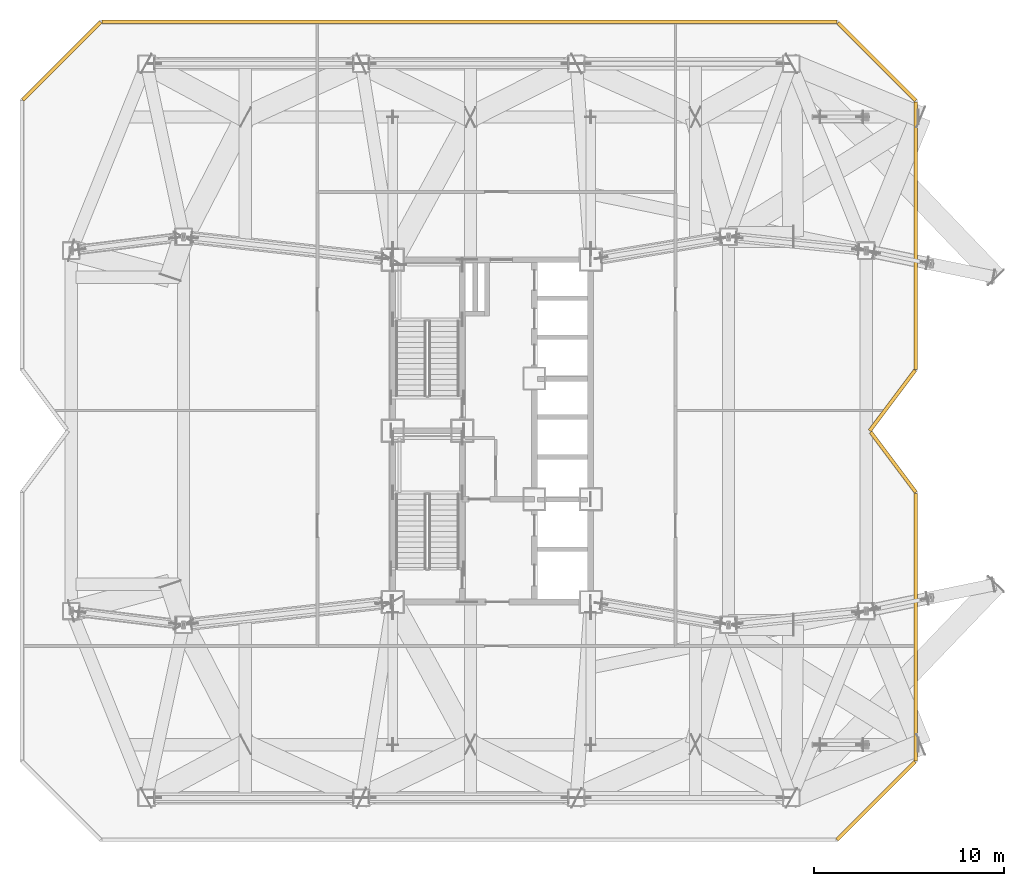
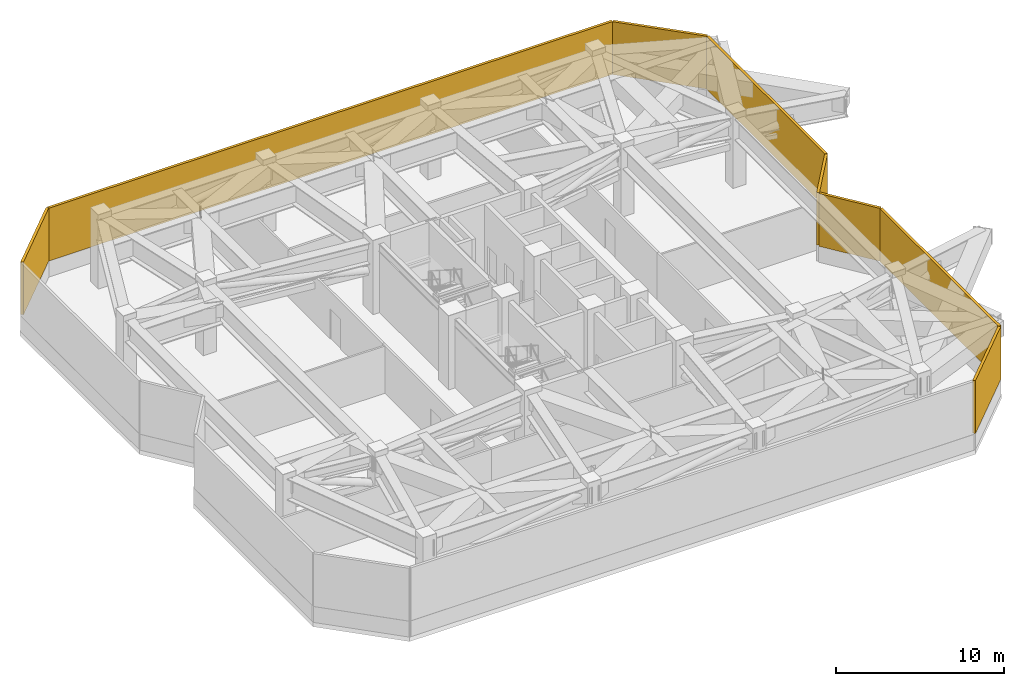
# One storey, part 19 of 19: 8 shading devices.
"""IFC4 building model written with IfcOpenShell, lengths in metres."""

import ifcopenshell
import ifcopenshell.guid

model = None  # the IFC model being written
_history = None  # IfcOwnerHistory: only IFC2X3 demands one
_inside = {}  # id of a spatial element -> (the spatial element, [elements in it])
_under = {}  # id of a project, library or spatial element -> (it, [spatial elements below it])
_declared = {}  # id of a project -> (the project, [libraries it declares])
_typed = {}  # id of a type object -> (the type object, [elements of that type])
_made_of = {}  # id of a material, layer set ... -> (it, [elements and type objects made of it])


def new_model(schema):
    """Start an empty IFC model of exactly this schema.

    Asked for "IFC4X3", IfcOpenShell would pick the latest addendum, in which some entities
    have other attributes; the version numbers below select the first issue.
    IFC2X3 requires an IfcOwnerHistory on every rooted entity: one is made here for all.
    """
    global model, _history
    if schema == "IFC4X3":
        model = ifcopenshell.file(schema_version=(4, 3, 0, 0))
    else:
        model = ifcopenshell.file(schema=schema)
    _inside.clear()
    _under.clear()
    _declared.clear()
    _typed.clear()
    _made_of.clear()
    _history = None
    if model.schema == "IFC2X3":
        org = make("IfcOrganization", Name="unknown")
        user = make(
            "IfcPersonAndOrganization",
            ThePerson=make("IfcPerson", FamilyName="unknown"),
            TheOrganization=org,
        )
        app = make(
            "IfcApplication",
            ApplicationDeveloper=org,
            Version="unknown",
            ApplicationFullName="unknown",
            ApplicationIdentifier="unknown",
        )
        _history = make(
            "IfcOwnerHistory",
            OwningUser=user,
            OwningApplication=app,
            ChangeAction="ADDED",
            CreationDate=0,
        )
    return model


def make(cls, **values):
    """One entity of the class cls with the attributes given. An attribute that is None is left unset."""
    return model.create_entity(
        cls, **{name: value for name, value in values.items() if value is not None}
    )


def rooted(cls, **values):
    """An entity with a GlobalId (a new one), such as an element, a storey or a relation."""
    return make(cls, GlobalId=ifcopenshell.guid.new(), OwnerHistory=_history, **values)


def si_unit(unit_type, name, prefix=None):
    """IfcSIUnit, for example si_unit("LENGTHUNIT", "METRE", prefix="MILLI")."""
    return make("IfcSIUnit", UnitType=unit_type, Prefix=prefix, Name=name)


def assignment(units):
    """IfcUnitAssignment: the units of a project."""
    return None if units is None else make("IfcUnitAssignment", Units=units)


def point(xyz):
    """IfcCartesianPoint."""
    return None if xyz is None else make("IfcCartesianPoint", Coordinates=xyz)


def direction(xyz):
    """IfcDirection."""
    return None if xyz is None else make("IfcDirection", DirectionRatios=xyz)


def frame(location, z_axis=None, x_axis=None):
    """IfcAxis2Placement3D, a coordinate frame: its origin and axes. An axis left out is left unset."""
    return make(
        "IfcAxis2Placement3D",
        Location=point(location),
        Axis=direction(z_axis),
        RefDirection=direction(x_axis),
    )


def frame_2d(location, x_axis=None):
    """IfcAxis2Placement2D, a coordinate frame in the plane: its origin and x axis."""
    return make(
        "IfcAxis2Placement2D", Location=point(location), RefDirection=direction(x_axis)
    )


def origin():
    """The frame at (0, 0, 0) with its axes left unset."""
    return frame((0.0, 0.0, 0.0))


def origin_2d():
    """The frame at (0, 0) in the plane with its x axis left unset."""
    return frame_2d((0.0, 0.0))


def place(relative_to, where):
    """IfcLocalPlacement: puts the frame where relative to a parent placement (None: the world)."""
    return make(
        "IfcLocalPlacement", PlacementRelTo=relative_to, RelativePlacement=where
    )


def context(
    kind, dimensions, precision=None, world=None, true_north=None, identifier=None
):
    """IfcGeometricRepresentationContext, for example the 3D "Model" context."""
    return make(
        "IfcGeometricRepresentationContext",
        ContextIdentifier=identifier,
        ContextType=kind,
        CoordinateSpaceDimension=dimensions,
        Precision=precision,
        WorldCoordinateSystem=world,
        TrueNorth=true_north,
    )


def subcontext(parent, identifier, kind, view, scale=None):
    """IfcGeometricRepresentationSubContext, for example "Body" below "Model"."""
    return make(
        "IfcGeometricRepresentationSubContext",
        ContextIdentifier=identifier,
        ContextType=kind,
        ParentContext=parent,
        TargetScale=scale,
        TargetView=view,
    )


def project(units=None, contexts=None):
    """IfcProject with its units and contexts."""
    return rooted(
        "IfcProject",
        Name="project",
        RepresentationContexts=contexts,
        UnitsInContext=assignment(units),
    )


def spatial(cls, under=None, at=None, **own):
    """A site, building, storey or space (cls), placed at a placement, below another one or the project."""
    s = rooted(cls, ObjectPlacement=at, **own)
    if under is not None:
        _under.setdefault(under.id(), (under, []))[1].append(s)
    return s


def profile(cls, at=None, kind="AREA", **sizes):
    """A parametric profile (cls). Its sizes go by their IFC names, for example OverallWidth=200.0."""
    return make(cls, ProfileType=kind, Position=at, **sizes)


def rectangle(**sizes):
    """IfcRectangleProfileDef."""
    return profile("IfcRectangleProfileDef", **sizes)


def extrude(swept, where, along, depth):
    """IfcExtrudedAreaSolid: the profile swept, set in the frame where, extruded along a direction by depth."""
    return make(
        "IfcExtrudedAreaSolid",
        SweptArea=swept,
        Position=where,
        ExtrudedDirection=direction(along),
        Depth=depth,
    )


def shape(context_of_items, identifier, shape_type, items):
    """IfcShapeRepresentation: the items that make up one representation, for example the "Body"."""
    return make(
        "IfcShapeRepresentation",
        ContextOfItems=context_of_items,
        RepresentationIdentifier=identifier,
        RepresentationType=shape_type,
        Items=items,
    )


def material(Name=None, Category=None):
    """IfcMaterial."""
    return make("IfcMaterial", Name=Name, Category=Category)


def made_of(thing, what):
    """Note that an element or type object is made of a material, layer set ...; save() writes the relation."""
    if what is not None:
        _made_of.setdefault(what.id(), (what, []))[1].append(thing)
    return thing


def type_object(cls, material=None, **own):
    """A type object (cls), such as IfcWallType, which elements share."""
    return made_of(rooted(cls, **own), material)


def element(
    cls,
    number,
    at=None,
    inside=None,
    cuts=None,
    type_object=None,
    material=None,
    context=None,
    identifier="Body",
    shape_type=None,
    held_by="IfcProductDefinitionShape",
    body=None,
    shapes=None,
    **own,
):
    """One element of the class cls, such as IfcWall. Its Tag is "e" and its number.

    at: its placement. inside: the storey or other place that contains it. cuts: it is an
    opening in that element (IfcRelVoidsElement). A single representation is given by context,
    identifier, shape_type and body (its items); several are given by shapes. held_by: the class
    of the entity that holds the representations. save() writes the other relations.
    """
    e = rooted(cls, Tag="e%d" % number, ObjectPlacement=at, **own)
    if body is not None:
        shapes = [shape(context, identifier, shape_type, body)]
    if shapes is not None:
        e.Representation = make(held_by, Representations=shapes)
    if inside is not None:
        _inside.setdefault(inside.id(), (inside, []))[1].append(e)
    if cuts is not None:
        rooted(
            "IfcRelVoidsElement", RelatingBuildingElement=cuts, RelatedOpeningElement=e
        )
    if type_object is not None:
        _typed.setdefault(type_object.id(), (type_object, []))[1].append(e)
    return made_of(e, material)


def aggregate(whole, parts):
    """IfcRelAggregates: a whole, such as a stair, and the parts it consists of."""
    return rooted("IfcRelAggregates", RelatingObject=whole, RelatedObjects=parts)


def save(model, path):
    """Write the relations noted so far, then the file.

    IfcRelAggregates (storeys below a building ...), IfcRelContainedInSpatialStructure (elements
    in a storey), IfcRelDefinesByType, IfcRelAssociatesMaterial and IfcRelDeclares: one each for
    every whole, place, type object, material and project.
    """
    for whole, parts in _under.values():
        aggregate(whole, parts)
    for where, things in _inside.values():
        rooted(
            "IfcRelContainedInSpatialStructure",
            RelatedElements=things,
            RelatingStructure=where,
        )
    for kind, things in _typed.values():
        rooted("IfcRelDefinesByType", RelatedObjects=things, RelatingType=kind)
    for what, things in _made_of.values():
        rooted("IfcRelAssociatesMaterial", RelatedObjects=things, RelatingMaterial=what)
    for by, libraries in _declared.values():
        rooted("IfcRelDeclares", RelatingContext=by, RelatedDefinitions=libraries)
    model.write(path)


model = new_model("IFC4")

# Units and contexts
model_context = context("Model", 3, precision=1e-05, world=origin(), true_north=direction((0.0, 1.0)))
body_context = subcontext(model_context, "Body", "Model", "MODEL_VIEW")
ifc_project = project(units=[si_unit("LENGTHUNIT", "METRE"), si_unit("AREAUNIT", "SQUARE_METRE"), si_unit("VOLUMEUNIT", "CUBIC_METRE"), si_unit("PLANEANGLEUNIT", "RADIAN"), si_unit("MASSUNIT", "GRAM", prefix="KILO")], contexts=[model_context])

# Site, building, storey
site_placement = place(None, origin())
site = spatial("IfcSite", under=ifc_project, at=site_placement, CompositionType="ELEMENT")
building_placement = place(site_placement, origin())
building = spatial("IfcBuilding", under=site, at=building_placement, Name="Khamvora Tower", CompositionType="ELEMENT")
storey_placement = place(building_placement, frame((0.0, 0.0, 150.5)))
storey = spatial("IfcBuildingStorey", under=building, at=storey_placement, Name="L38", CompositionType="ELEMENT", Elevation=150.5)

# Shading devices
ifc_material = material(Name="Pale Anodised Aluminium 6063-T6", Category="aluminium")
shading_device_type = type_object("IfcShadingDeviceType", Name="SHD-LVR-150", PredefinedType="JALOUSIE", material=ifc_material)
shading_device_1_placement = place(storey_placement, frame((11.593017578125, 47.450927734375, 1.14990234375), z_axis=(0.0, 0.0, 1.0), x_axis=(0.707106781187, 0.707106781187, 0.0)))
element("IfcShadingDevice", 1, at=shading_device_1_placement, inside=storey, type_object=shading_device_type, Name="L38 mechanical weather louvre 06.1", PredefinedType="JALOUSIE", context=body_context, shape_type="SweptSolid", body=[
    extrude(rectangle(XDim=5.7939453125, YDim=0.179931640625, at=origin_2d()), origin(), (0.0, 0.0, 1.0), 3.830078125),
])
shading_device_2_placement = place(storey_placement, frame((33.031005859375, 49.5, 1.14990234375), z_axis=(0.0, 0.0, 1.0), x_axis=(1.0, 0.0, 0.0)))
element("IfcShadingDevice", 2, at=shading_device_2_placement, inside=storey, type_object=shading_device_type, Name="L38 mechanical weather louvre 07.1", PredefinedType="JALOUSIE", context=body_context, shape_type="SweptSolid", body=[
    extrude(rectangle(XDim=38.656982421875, YDim=0.179931640625, at=origin_2d()), origin(), (0.0, 0.0, 1.0), 3.830078125),
])
shading_device_3_placement = place(storey_placement, frame((54.451904296875, 47.406982421875, 1.14990234375), z_axis=(0.0, 0.0, 1.0), x_axis=(0.707106781187, -0.707106781187, 0.0)))
element("IfcShadingDevice", 3, at=shading_device_3_placement, inside=storey, type_object=shading_device_type, Name="L38 mechanical weather louvre 08.1", PredefinedType="JALOUSIE", context=body_context, shape_type="SweptSolid", body=[
    extrude(rectangle(XDim=5.79296875, YDim=0.179931640625, at=origin_2d()), origin(), (0.0, 0.0, 1.0), 3.830078125),
])
shading_device_4_placement = place(storey_placement, frame((56.5, 38.263916015625, 1.14990234375), z_axis=(0.0, 0.0, 1.0), x_axis=(0.0, -1.0, 0.0)))
element("IfcShadingDevice", 4, at=shading_device_4_placement, inside=storey, type_object=shading_device_type, Name="L38 mechanical weather louvre 09.1", PredefinedType="JALOUSIE", context=body_context, shape_type="SweptSolid", body=[
    extrude(rectangle(XDim=14.06298828125, YDim=0.179931640625, at=origin_2d()), origin(), (0.0, 0.0, 1.0), 3.830078125),
])
shading_device_5_placement = place(storey_placement, frame((55.27197265625, 29.595947265625, 1.14990234375), z_axis=(0.0, 0.0, 1.0), x_axis=(-0.600039589506, -0.79997030634, 0.0)))
element("IfcShadingDevice", 5, at=shading_device_5_placement, inside=storey, type_object=shading_device_type, Name="L38 mechanical weather louvre 10.1", PredefinedType="JALOUSIE", context=body_context, shape_type="SweptSolid", body=[
    extrude(rectangle(XDim=3.989013671875, YDim=0.179931640625, at=origin_2d()), origin(), (0.0, 0.0, 1.0), 3.830078125),
])
shading_device_6_placement = place(storey_placement, frame((55.31396484375, 26.34912109375, 1.14990234375), z_axis=(0.0, 0.0, 1.0), x_axis=(0.600039589506, -0.79997030634, 0.0)))
element("IfcShadingDevice", 6, at=shading_device_6_placement, inside=storey, type_object=shading_device_type, Name="L38 mechanical weather louvre 11.1", PredefinedType="JALOUSIE", context=body_context, shape_type="SweptSolid", body=[
    extrude(rectangle(XDim=3.955078125, YDim=0.179931640625, at=origin_2d()), origin(), (0.0, 0.0, 1.0), 3.830078125),
])
shading_device_7_placement = place(storey_placement, frame((56.5, 17.678955078125, 1.14990234375), z_axis=(0.0, 0.0, 1.0), x_axis=(0.0, -1.0, 0.0)))
element("IfcShadingDevice", 7, at=shading_device_7_placement, inside=storey, type_object=shading_device_type, Name="L38 mechanical weather louvre 12.1", PredefinedType="JALOUSIE", context=body_context, shape_type="SweptSolid", body=[
    extrude(rectangle(XDim=14.075927734375, YDim=0.179931640625, at=origin_2d()), origin(), (0.0, 0.0, 1.0), 3.830078125),
])
shading_device_8_placement = place(storey_placement, frame((54.407958984375, 8.549072265625, 1.14990234375), z_axis=(0.0, 0.0, 1.0), x_axis=(-0.707106781187, -0.707106781187, 0.0)))
element("IfcShadingDevice", 8, at=shading_device_8_placement, inside=storey, type_object=shading_device_type, Name="L38 mechanical weather louvre 13.1", PredefinedType="JALOUSIE", context=body_context, shape_type="SweptSolid", body=[
    extrude(rectangle(XDim=5.794921875, YDim=0.179931640625, at=origin_2d()), origin(), (0.0, 0.0, 1.0), 3.830078125),
])

save(model, "model.ifc")
